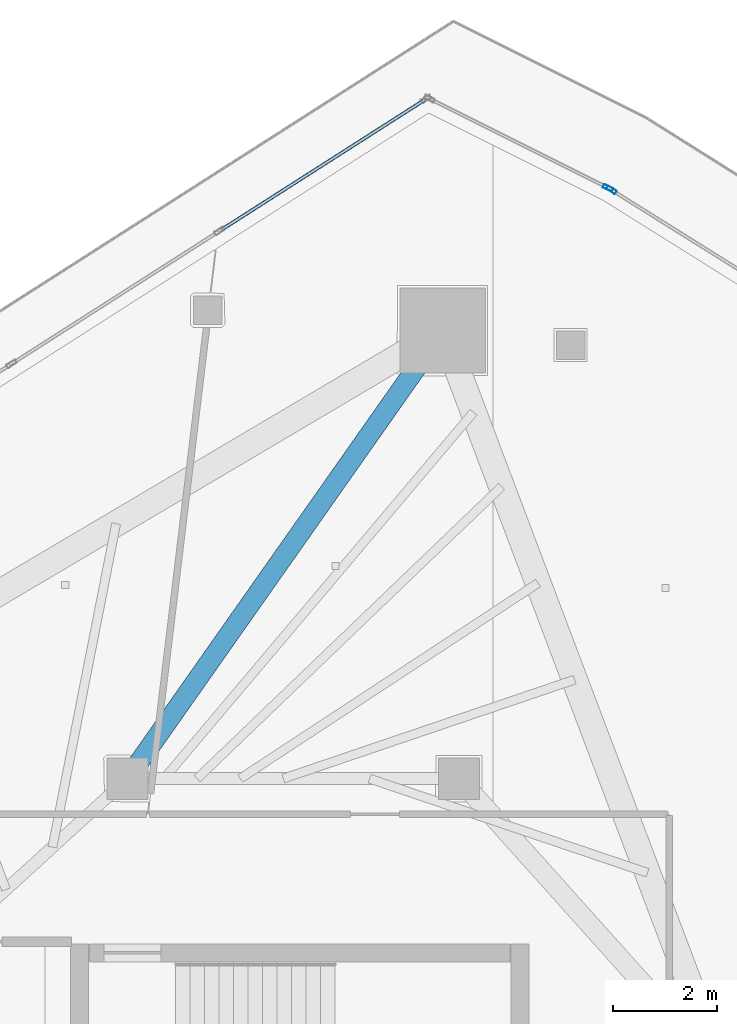
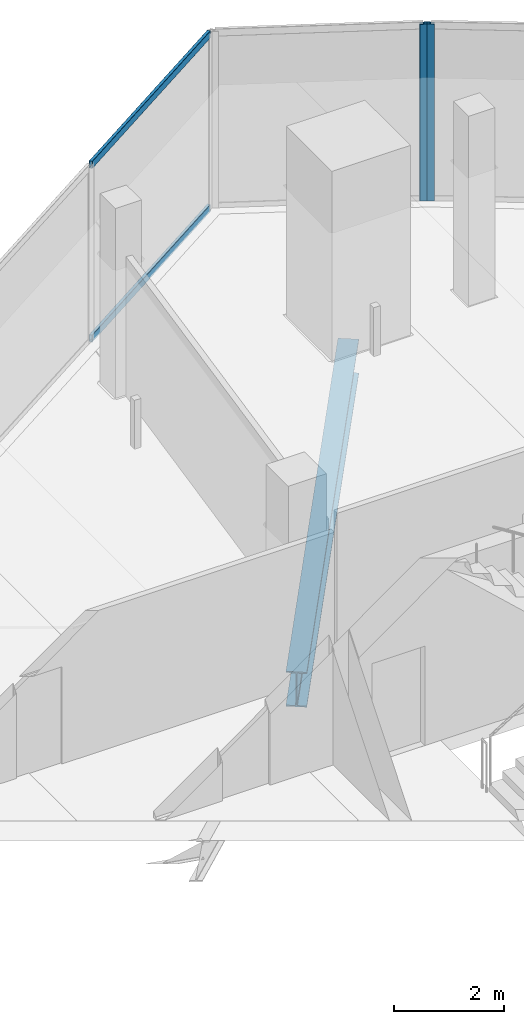
# One storey, part 17 of 31: 4 members, 1 beam, 3 elements without a shape of their own.
"""IFC4 building model written with IfcOpenShell, lengths in metres."""

from ifc_helpers import new_model, si_unit, direction, frame, origin, origin_2d, place, context, subcontext, project, spatial, hollow_rectangle, i_section, extrude, material, layer, layer_set, material_profile, profile_set, type_object, element, aggregate, save


model = new_model("IFC4")

# Units and contexts
model_context = context("Model", 3, precision=1e-05, world=origin(), true_north=direction((0.0, 1.0)))
body_context = subcontext(model_context, "Body", "Model", "MODEL_VIEW")
ifc_project = project(units=[si_unit("LENGTHUNIT", "METRE"), si_unit("AREAUNIT", "SQUARE_METRE"), si_unit("VOLUMEUNIT", "CUBIC_METRE"), si_unit("PLANEANGLEUNIT", "RADIAN"), si_unit("MASSUNIT", "GRAM", prefix="KILO")], contexts=[model_context])

# Site, building, storey
site_placement = place(None, origin())
site = spatial("IfcSite", under=ifc_project, at=site_placement, CompositionType="ELEMENT")
building_placement = place(site_placement, origin())
building = spatial("IfcBuilding", under=site, at=building_placement, Name="Qorvath Tower", CompositionType="ELEMENT")
storey_placement = place(building_placement, frame((0.0, 0.0, 259.800048828125)))
storey = spatial("IfcBuildingStorey", under=building, at=storey_placement, Name="L60", CompositionType="ELEMENT", Elevation=259.800048828125)

# Beam
ifc_material_1 = material(Name="Steel ASTM A992 Grade 50", Category="steel")
ifc_material_profile_1 = material_profile(ifc_material_1, i_section(OverallWidth=0.381103515625, OverallDepth=0.77294921875, WebThickness=0.0166015625, FlangeThickness=0.027099609375, FilletRadius=0.01904296875, at=origin_2d()), Name="W30x173")
ifc_profile_set_1 = profile_set([ifc_material_profile_1], Name="Steel ASTM A992 Grade 50")
beam_type = type_object("IfcBeamType", Name="BM-FG3", PredefinedType="BEAM", material=ifc_profile_set_1)
beam_placement = place(storey_placement, frame((-23.60009765625, 11.449951171875, -0.676513671875), z_axis=(0.575274974004, 0.81796008722, 0.0), x_axis=(-0.81796008722, 0.575274974004, 0.0)))
element("IfcBeam", 1, at=beam_placement, inside=storey, type_object=beam_type, Name="Radial Floor Girder CC1-MC6 L60", PredefinedType="BEAM", context=body_context, shape_type="SweptSolid", body=[
    extrude(i_section(OverallWidth=0.381103515625, OverallDepth=0.77294921875, WebThickness=0.0166015625, FlangeThickness=0.027099609375, FilletRadius=0.01904296875, at=origin_2d()), origin(), (0.0, 0.0, 1.0), 10.5771484375),
])

# Curtain wall, member
ifc_material_2 = material(Name="Anodised aluminium and triple low-E glass", Category="aluminium")
ifc_layer = layer(ifc_material_2, 0.179931640625)
ifc_layer_set = layer_set([ifc_layer], Name="CW-SYS-4")
curtain_wall_type = type_object("IfcCurtainWallType", Name="CW-SYS-4", PredefinedType="NOTDEFINED", material=ifc_layer_set)
curtain_wall_1_placement = place(storey_placement, origin())
curtain_wall_1 = element("IfcCurtainWall", 2, at=curtain_wall_1_placement, inside=storey, type_object=curtain_wall_type, Name="Curtain Wall CW-4 CW-T-L60-14.1", PredefinedType="NOTDEFINED")
ifc_material_3 = material(Name="Anodised aluminium 6063-T6", Category="aluminium")
ifc_material_profile_2 = material_profile(ifc_material_3, hollow_rectangle(XDim=0.074951171875, YDim=0.199951171875, WallThickness=0.00390625, InnerFilletRadius=0.00390625, OuterFilletRadius=0.008056640625, at=origin_2d()), Name="CWM 200x75")
ifc_profile_set_2 = profile_set([ifc_material_profile_2], Name="Anodised aluminium 6063-T6")
member_type_1 = type_object("IfcMemberType", Name="CWM-200", PredefinedType="MULLION", material=ifc_profile_set_2)
member_1_placement = place(storey_placement, frame((-14.25732421875, 22.81640625, 0.0), z_axis=(0.0, 0.0, 1.0), x_axis=(-0.530411579376, -0.847740264741, 0.0)))
member_1 = element("IfcMember", 3, at=member_1_placement, type_object=member_type_1, Name="CW-4 mullion 2", PredefinedType="MULLION", context=body_context, shape_type="SweptSolid", body=[
    extrude(hollow_rectangle(XDim=0.074951171875, YDim=0.199951171875, WallThickness=0.00390625, InnerFilletRadius=0.00390625, OuterFilletRadius=0.008056640625, at=origin_2d()), origin(), (0.0, 0.0, 1.0), 3.909912109375),
])
aggregate(curtain_wall_1, [member_1])

curtain_wall_2_placement = place(storey_placement, origin())
curtain_wall_2 = element("IfcCurtainWall", 4, at=curtain_wall_2_placement, inside=storey, type_object=curtain_wall_type, Name="Curtain Wall CW-4 CW-T-L60-15.1", PredefinedType="NOTDEFINED")
member_2_placement = place(storey_placement, frame((-14.32275390625, 22.85302734375, 0.0), z_axis=(0.0, 0.0, 1.0), x_axis=(-0.447193229071, -0.894437373924, 0.0)))
member_2 = element("IfcMember", 5, at=member_2_placement, type_object=member_type_1, Name="CW-4 mullion 1", PredefinedType="MULLION", context=body_context, shape_type="SweptSolid", body=[
    extrude(hollow_rectangle(XDim=0.074951171875, YDim=0.199951171875, WallThickness=0.00390625, InnerFilletRadius=0.00390625, OuterFilletRadius=0.008056640625, at=origin_2d()), origin(), (0.0, 0.0, 1.0), 3.909912109375),
])
aggregate(curtain_wall_2, [member_2])

# Curtain wall, members
curtain_wall_3_placement = place(storey_placement, origin())
curtain_wall_3 = element("IfcCurtainWall", 6, at=curtain_wall_3_placement, inside=storey, type_object=curtain_wall_type, Name="Curtain Wall CW-4 CW-T-L60-16.1", PredefinedType="NOTDEFINED")
ifc_material_4 = material(Name="Anodised aluminium 6063-T6", Category="aluminium")
ifc_material_profile_3 = material_profile(ifc_material_4, hollow_rectangle(XDim=0.06494140625, YDim=0.159912109375, WallThickness=0.00341796875, InnerFilletRadius=0.00341796875, OuterFilletRadius=0.007080078125, at=origin_2d()), Name="CWT 160x65")
ifc_profile_set_3 = profile_set([ifc_material_profile_3], Name="Anodised aluminium 6063-T6")
member_type_2 = type_object("IfcMemberType", Name="CWT-160", PredefinedType="USERDEFINED", material=ifc_profile_set_3)
member_3_placement = place(storey_placement, frame((-17.86572265625, 24.552490234375, 0.032470703125), z_axis=(-0.842601734478, -0.53853720118, 0.0), x_axis=(0.53853720118, -0.842601734478, 0.0)))
member_3 = element("IfcMember", 7, at=member_3_placement, type_object=member_type_2, Name="CW-4 transom 1.1", ObjectType="TRANSOM", PredefinedType="USERDEFINED", context=body_context, shape_type="SweptSolid", body=[
    extrude(hollow_rectangle(XDim=0.06494140625, YDim=0.159912109375, WallThickness=0.00341796875, InnerFilletRadius=0.00341796875, OuterFilletRadius=0.007080078125, at=origin_2d()), origin(), (0.0, 0.0, 1.0), 4.6552734375),
])
member_4_placement = place(storey_placement, frame((-17.86572265625, 24.552490234375, 3.87744140625), z_axis=(-0.842601734478, -0.53853720118, 0.0), x_axis=(0.53853720118, -0.842601734478, 0.0)))
member_4 = element("IfcMember", 8, at=member_4_placement, type_object=member_type_2, Name="CW-4 transom 1.2", ObjectType="TRANSOM", PredefinedType="USERDEFINED", context=body_context, shape_type="SweptSolid", body=[
    extrude(hollow_rectangle(XDim=0.06494140625, YDim=0.159912109375, WallThickness=0.00341796875, InnerFilletRadius=0.00341796875, OuterFilletRadius=0.007080078125, at=origin_2d()), origin(), (0.0, 0.0, 1.0), 4.6552734375),
])
aggregate(curtain_wall_3, [member_3, member_4])

save(model, "model.ifc")
